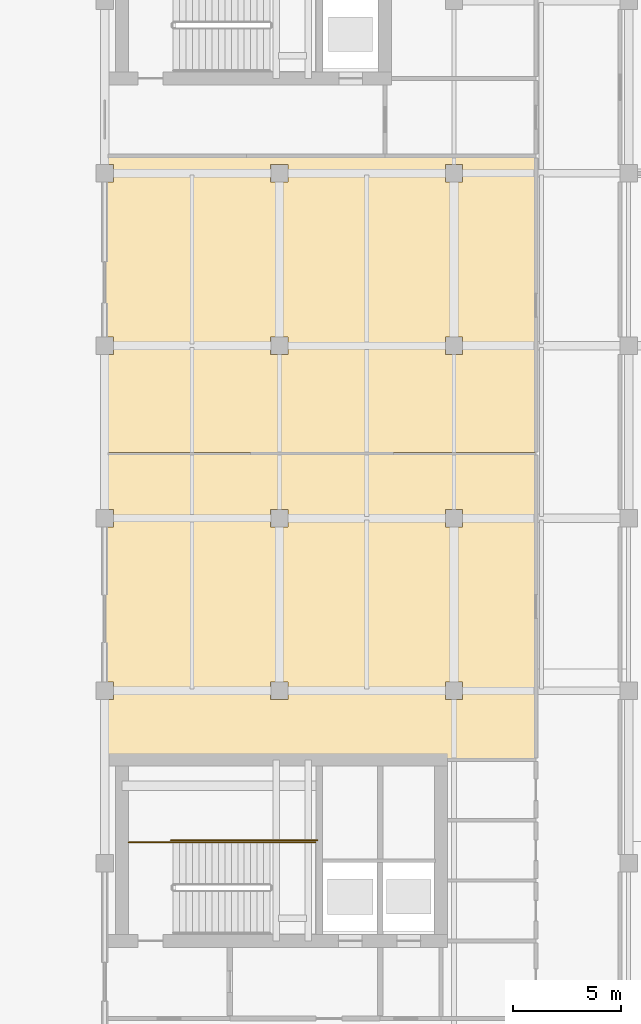
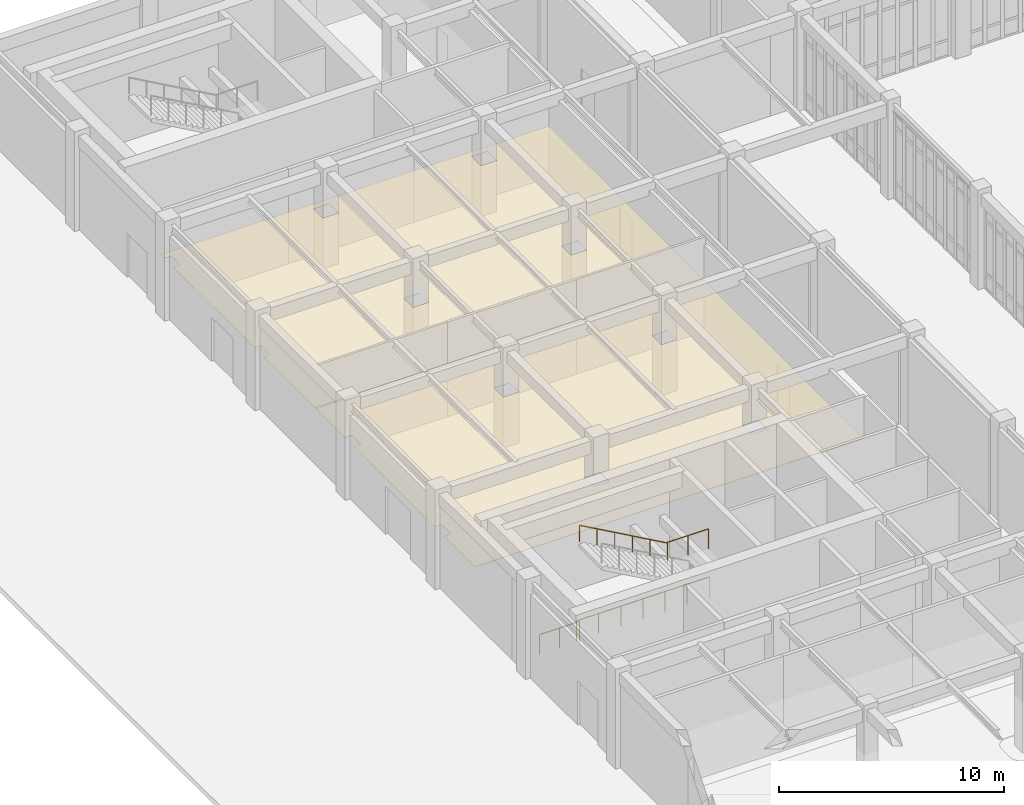
# One storey, part 57 of 62: 4 railings, 2 coverings.
"""IFC4 building model written with IfcOpenShell, lengths in metres."""

from ifc_helpers import new_model, si_unit, direction, frame, origin, origin_2d, place, context, subcontext, project, spatial, polyline, circle, outline, extrude, material, layer, layer_set, type_object, element, save


model = new_model("IFC4")

# Units and contexts
model_context = context("Model", 3, precision=1e-05, world=origin(), true_north=direction((0.0, 1.0)))
body_context = subcontext(model_context, "Body", "Model", "MODEL_VIEW")
ifc_project = project(units=[si_unit("LENGTHUNIT", "METRE"), si_unit("AREAUNIT", "SQUARE_METRE"), si_unit("VOLUMEUNIT", "CUBIC_METRE"), si_unit("PLANEANGLEUNIT", "RADIAN"), si_unit("MASSUNIT", "GRAM", prefix="KILO")], contexts=[model_context])

# Site, building, storey
site_placement = place(None, origin())
site = spatial("IfcSite", under=ifc_project, at=site_placement, CompositionType="ELEMENT")
building_placement = place(site_placement, origin())
building = spatial("IfcBuilding", under=site, at=building_placement, Name="Tarnveldt Square Police Headquarters", CompositionType="ELEMENT")
storey_placement = place(building_placement, origin())
storey = spatial("IfcBuildingStorey", under=building, at=storey_placement, Name="L00", CompositionType="ELEMENT", Elevation=0.0)

# Coverings
ifc_material_1 = material(Name="Mineral-fibre acoustic ceiling tile", Category="gypsum")
ifc_layer = layer(ifc_material_1, 0.02001953125)
ifc_layer_set = layer_set([ifc_layer], Name="Mineral-fibre acoustic ceiling tile")
covering_type = type_object("IfcCoveringType", Name="COV-CEIL-20", PredefinedType="CEILING", material=ifc_layer_set)
covering_1_placement = place(storey_placement, frame((0.0, 0.0, 2.75)))
element("IfcCovering", 1, at=covering_1_placement, inside=storey, type_object=covering_type, Name="Patrol Kit Issue and Body-Camera Room Acoustic Ceiling", PredefinedType="CEILING", context=body_context, shape_type="SweptSolid", body=[
    extrude(outline(polyline([(16.25, 82.949951171875), (36.14990234375, 82.949951171875), (36.14990234375, 68.85009765625), (16.25, 68.85009765625), (16.25, 71.597900390625), (16.60205078125, 71.597900390625), (16.60205078125, 72.402099609375), (16.25, 72.402099609375), (16.25, 79.597900390625), (16.60205078125, 79.597900390625), (16.60205078125, 80.402099609375), (16.25, 80.402099609375), (16.25, 82.949951171875)]), holes=[polyline([(32.802001953125, 80.402099609375), (31.998046875, 80.402099609375), (31.998046875, 79.597900390625), (32.802001953125, 79.597900390625), (32.802001953125, 80.402099609375)]), polyline([(32.802001953125, 72.402099609375), (31.998046875, 72.402099609375), (31.998046875, 71.597900390625), (32.802001953125, 71.597900390625), (32.802001953125, 72.402099609375)]), polyline([(24.701904296875, 80.402099609375), (23.89794921875, 80.402099609375), (23.89794921875, 79.597900390625), (24.701904296875, 79.597900390625), (24.701904296875, 80.402099609375)]), polyline([(24.701904296875, 72.402099609375), (23.89794921875, 72.402099609375), (23.89794921875, 71.597900390625), (24.701904296875, 71.597900390625), (24.701904296875, 72.402099609375)])]), origin(), (0.0, 0.0, 1.0), 0.02001953125),
])
covering_2_placement = place(storey_placement, frame((0.0, 0.0, 2.75)))
element("IfcCovering", 2, at=covering_2_placement, inside=storey, type_object=covering_type, Name="Officer Report Writing Squad Room Acoustic Ceiling", PredefinedType="CEILING", context=body_context, shape_type="SweptSolid", body=[
    extrude(outline(polyline([(16.25, 96.75), (36.14990234375, 96.75), (36.14990234375, 83.050048828125), (16.25, 83.050048828125), (16.25, 87.597900390625), (16.60205078125, 87.597900390625), (16.60205078125, 88.402099609375), (16.25, 88.402099609375), (16.25, 95.597900390625), (16.60205078125, 95.597900390625), (16.60205078125, 96.402099609375), (16.25, 96.402099609375), (16.25, 96.75)]), holes=[polyline([(31.998046875, 96.402099609375), (31.998046875, 95.597900390625), (32.802001953125, 95.597900390625), (32.802001953125, 96.402099609375), (31.998046875, 96.402099609375)]), polyline([(32.802001953125, 88.402099609375), (31.998046875, 88.402099609375), (31.998046875, 87.597900390625), (32.802001953125, 87.597900390625), (32.802001953125, 88.402099609375)]), polyline([(24.701904296875, 96.402099609375), (23.89794921875, 96.402099609375), (23.89794921875, 95.597900390625), (24.701904296875, 95.597900390625), (24.701904296875, 96.402099609375)]), polyline([(24.701904296875, 88.402099609375), (23.89794921875, 88.402099609375), (23.89794921875, 87.597900390625), (24.701904296875, 87.597900390625), (24.701904296875, 88.402099609375)])]), origin(), (0.0, 0.0, 1.0), 0.02001953125),
])

# Railings
ifc_material_2 = material(Name="Steel 350W", Category="steel")
railing_type_1 = type_object("IfcRailingType", Name="RL-GR-1100", PredefinedType="GUARDRAIL", material=ifc_material_2)
railing_1_placement = place(storey_placement, frame((23.8701171875, 64.969970703125, 2.699951171875)))
element("IfcRailing", 3, at=railing_1_placement, inside=storey, type_object=railing_type_1, Name="L00 ST1 stair guard 3", PredefinedType="GUARDRAIL", context=body_context, shape_type="SweptSolid", body=[
    extrude(circle(Radius=0.02392578125, at=origin_2d()), frame((0.0, 0.0, 1.076171875), z_axis=(1.0, 0.0, 0.0), x_axis=(0.0, 1.0, 0.0)), (0.0, 0.0, 1.0), 2.099853515625),
    extrude(circle(Radius=0.02099609375, at=origin_2d()), origin(), (0.0, 0.0, 1.0), 1.052001953125),
    extrude(circle(Radius=0.02099609375, at=origin_2d()), frame((1.0498046875, 0.0, 0.0)), (0.0, 0.0, 1.0), 1.052001953125),
    extrude(circle(Radius=0.02099609375, at=origin_2d()), frame((2.099853515625, 0.0, 0.0)), (0.0, 0.0, 1.0), 1.052001953125),
])
railing_2_placement = place(storey_placement, frame((17.320068359375, 64.969970703125, 0.0)))
element("IfcRailing", 4, at=railing_2_placement, inside=storey, type_object=railing_type_1, Name="L00 ST1 stair guard 6", PredefinedType="GUARDRAIL", context=body_context, shape_type="SweptSolid", body=[
    extrude(circle(Radius=0.02392578125, at=origin_2d()), frame((0.0, 0.0, 1.076171875), z_axis=(1.0, 0.0, 0.0), x_axis=(0.0, 1.0, 0.0)), (0.0, 0.0, 1.0), 2.050048828125),
    extrude(circle(Radius=0.02099609375, at=origin_2d()), origin(), (0.0, 0.0, 1.0), 1.052001953125),
    extrude(circle(Radius=0.02099609375, at=origin_2d()), frame((1.02490234375, 0.0, 0.0)), (0.0, 0.0, 1.0), 1.052001953125),
    extrude(circle(Radius=0.02099609375, at=origin_2d()), frame((2.050048828125, 0.0, 0.0)), (0.0, 0.0, 1.0), 1.052001953125),
])
railing_3_placement = place(storey_placement, frame((19.27001953125, 65.070068359375, 0.0)))
element("IfcRailing", 5, at=railing_3_placement, inside=storey, type_object=railing_type_1, Name="L00 ST1 stair guard 7", PredefinedType="GUARDRAIL", context=body_context, shape_type="SweptSolid", body=[
    extrude(circle(Radius=0.02392578125, at=origin_2d()), frame((0.0, 0.0, 1.076171875), z_axis=(1.0, 0.0, 0.0), x_axis=(0.0, 1.0, 0.0)), (0.0, 0.0, 1.0), 6.800048828125),
    extrude(circle(Radius=0.02099609375, at=origin_2d()), origin(), (0.0, 0.0, 1.0), 1.052001953125),
    extrude(circle(Radius=0.02099609375, at=origin_2d()), frame((1.13330078125, 0.0, 0.0)), (0.0, 0.0, 1.0), 1.052001953125),
    extrude(circle(Radius=0.02099609375, at=origin_2d()), frame((2.2666015625, 0.0, 0.0)), (0.0, 0.0, 1.0), 1.052001953125),
    extrude(circle(Radius=0.02099609375, at=origin_2d()), frame((3.39990234375, 0.0, 0.0)), (0.0, 0.0, 1.0), 1.052001953125),
    extrude(circle(Radius=0.02099609375, at=origin_2d()), frame((4.533447265625, 0.0, 0.0)), (0.0, 0.0, 1.0), 1.052001953125),
    extrude(circle(Radius=0.02099609375, at=origin_2d()), frame((5.666748046875, 0.0, 0.0)), (0.0, 0.0, 1.0), 1.052001953125),
    extrude(circle(Radius=0.02099609375, at=origin_2d()), frame((6.800048828125, 0.0, 0.0)), (0.0, 0.0, 1.0), 1.052001953125),
])
railing_type_2 = type_object("IfcRailingType", Name="RL-HR-900", PredefinedType="HANDRAIL", material=ifc_material_2)
railing_4_placement = place(storey_placement, frame((23.8701171875, 64.969970703125, 2.86865234375)))
element("IfcRailing", 6, at=railing_4_placement, inside=storey, type_object=railing_type_2, Name="L00 ST1 stair handrail 2", PredefinedType="HANDRAIL", context=body_context, shape_type="SweptSolid", body=[
    extrude(circle(Radius=0.02392578125, at=origin_2d()), frame((0.0, 0.0, 0.8759765625), z_axis=(-0.871575537125, 0.0, 0.490261239633), x_axis=(0.0, -1.0, 0.0)), (0.0, 0.0, 1.0), 5.1630859375),
    extrude(circle(Radius=0.02099609375, at=origin_2d()), origin(), (0.0, 0.0, 1.0), 0.851806640625),
    extrude(circle(Radius=0.02099609375, at=origin_2d()), frame((-0.89990234375, 0.0, 0.50634765625)), (0.0, 0.0, 1.0), 0.851806640625),
    extrude(circle(Radius=0.02099609375, at=origin_2d()), frame((-1.800048828125, 0.0, 1.012451171875)), (0.0, 0.0, 1.0), 0.851806640625),
    extrude(circle(Radius=0.02099609375, at=origin_2d()), frame((-2.699951171875, 0.0, 1.518798828125)), (0.0, 0.0, 1.0), 0.851806640625),
    extrude(circle(Radius=0.02099609375, at=origin_2d()), frame((-3.60009765625, 0.0, 2.02490234375)), (0.0, 0.0, 1.0), 0.851806640625),
    extrude(circle(Radius=0.02099609375, at=origin_2d()), frame((-4.5, 0.0, 2.53125)), (0.0, 0.0, 1.0), 0.851806640625),
])

save(model, "model.ifc")
